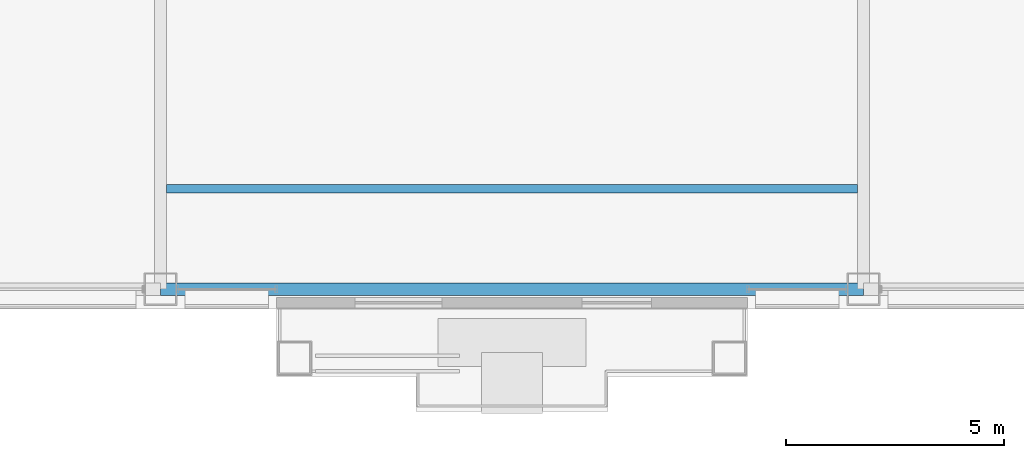
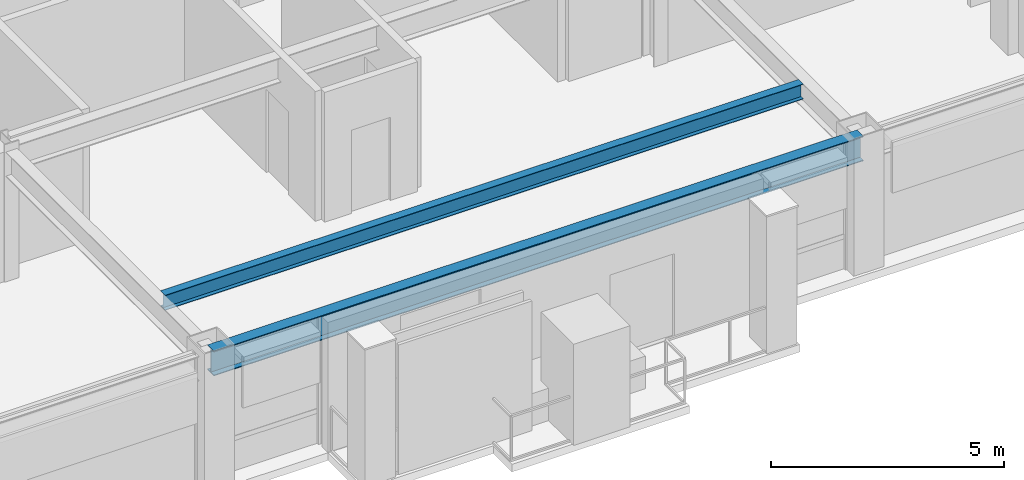
# One storey, part 6 of 30: 2 beams.
"""IFC4 building model written with IfcOpenShell, lengths in metres."""

from ifc_helpers import new_model, si_unit, direction, frame, origin, origin_2d, place, context, subcontext, project, spatial, i_section, extrude, material, material_profile, profile_set, type_object, element, save


model = new_model("IFC4")

# Units and contexts
model_context = context("Model", 3, precision=1e-05, world=origin(), true_north=direction((0.0, 1.0)))
body_context = subcontext(model_context, "Body", "Model", "MODEL_VIEW")
ifc_project = project(units=[si_unit("LENGTHUNIT", "METRE"), si_unit("AREAUNIT", "SQUARE_METRE"), si_unit("VOLUMEUNIT", "CUBIC_METRE"), si_unit("PLANEANGLEUNIT", "RADIAN"), si_unit("MASSUNIT", "GRAM", prefix="KILO")], contexts=[model_context])

# Site, building, storey
site_placement = place(None, origin())
site = spatial("IfcSite", under=ifc_project, at=site_placement, CompositionType="ELEMENT")
building_placement = place(site_placement, origin())
building = spatial("IfcBuilding", under=site, at=building_placement, Name="Brelmoor Portico Tower", CompositionType="ELEMENT")
storey_placement = place(building_placement, frame((0.0, 0.0, 169.5)))
storey = spatial("IfcBuildingStorey", under=building, at=storey_placement, Name="L44", CompositionType="ELEMENT", Elevation=169.5)

# Beams
ifc_material = material(Name="Steel Q355B", Category="steel")
ifc_material_profile_1 = material_profile(ifc_material, i_section(OverallWidth=0.199951171875, OverallDepth=0.39990234375, WebThickness=0.008056640625, FlangeThickness=0.012939453125, at=origin_2d()), Name="HN 400x200x8x13")
ifc_profile_set_1 = profile_set([ifc_material_profile_1], Name="Steel Q355B")
beam_type_1 = type_object("IfcBeamType", Name="BM-JS-400", PredefinedType="JOIST", material=ifc_profile_set_1)
beam_1_placement = place(storey_placement, frame((-7.909912109375, -16.25, 3.199951171875), z_axis=(1.0, 0.0, 0.0), x_axis=(0.0, 1.0, 0.0)))
element("IfcBeam", 1, at=beam_1_placement, inside=storey, type_object=beam_type_1, Name="L44 Secondary Composite Joist JS-C01", PredefinedType="JOIST", context=body_context, shape_type="SweptSolid", body=[
    extrude(i_section(OverallWidth=0.199951171875, OverallDepth=0.39990234375, WebThickness=0.008056640625, FlangeThickness=0.012939453125, at=origin_2d()), origin(), (0.0, 0.0, 1.0), 15.81982421875),
])
ifc_material_profile_2 = material_profile(ifc_material, i_section(OverallWidth=0.280029296875, OverallDepth=0.64990234375, WebThickness=0.012939453125, FlangeThickness=0.02197265625, at=origin_2d()), Name="HN 650x280x13x22")
ifc_profile_set_2 = profile_set([ifc_material_profile_2], Name="Steel Q355B")
beam_type_2 = type_object("IfcBeamType", Name="BM-SP-650", PredefinedType="SPANDREL", material=ifc_profile_set_2)
beam_2_placement = place(storey_placement, frame((-8.050048828125, -18.550048828125, 3.074951171875), z_axis=(1.0, 0.0, 0.0), x_axis=(0.0, 1.0, 0.0)))
element("IfcBeam", 2, at=beam_2_placement, inside=storey, type_object=beam_type_2, Name="L44 Perimeter Spandrel Beam SP-02", PredefinedType="SPANDREL", context=body_context, shape_type="SweptSolid", body=[
    extrude(i_section(OverallWidth=0.280029296875, OverallDepth=0.64990234375, WebThickness=0.012939453125, FlangeThickness=0.02197265625, at=origin_2d()), origin(), (0.0, 0.0, 1.0), 16.10009765625),
])

save(model, "model.ifc")
